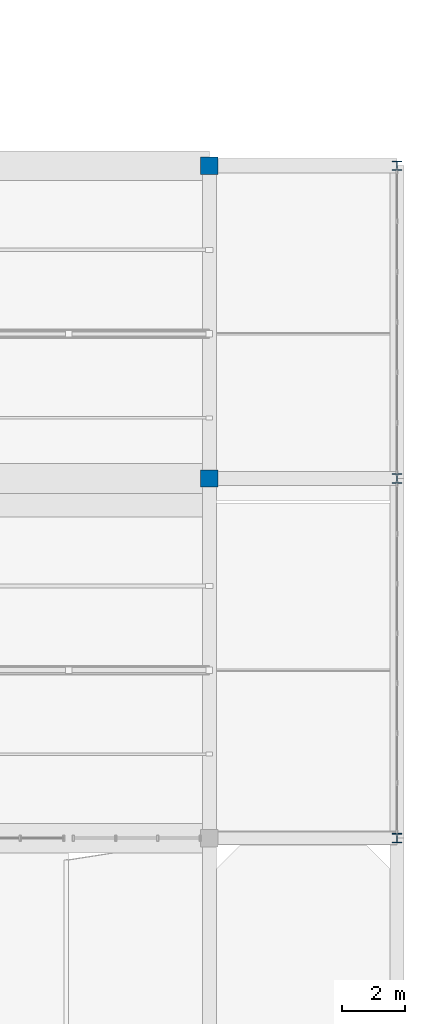
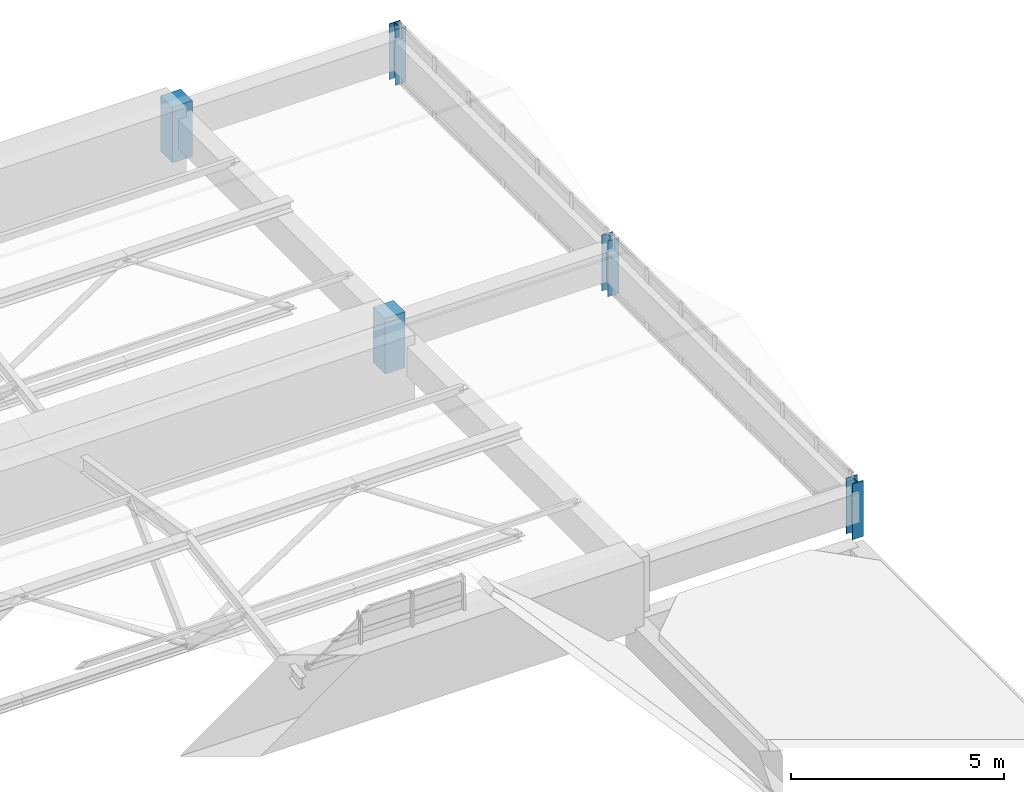
# One storey, part 4 of 82: 5 columns.
"""IFC4 building model written with IfcOpenShell, lengths in metres."""

from ifc_helpers import new_model, si_unit, direction, frame, origin, origin_2d, place, context, subcontext, project, spatial, rectangle, i_section, extrude, material, material_profile, profile_set, type_object, element, save


model = new_model("IFC4")

# Units and contexts
model_context = context("Model", 3, precision=1e-05, world=origin(), true_north=direction((0.0, 1.0)))
body_context = subcontext(model_context, "Body", "Model", "MODEL_VIEW")
ifc_project = project(units=[si_unit("LENGTHUNIT", "METRE"), si_unit("AREAUNIT", "SQUARE_METRE"), si_unit("VOLUMEUNIT", "CUBIC_METRE"), si_unit("PLANEANGLEUNIT", "RADIAN"), si_unit("MASSUNIT", "GRAM", prefix="KILO")], contexts=[model_context])

# Site, building, storey
site_placement = place(None, origin())
site = spatial("IfcSite", under=ifc_project, at=site_placement, CompositionType="ELEMENT")
building_placement = place(site_placement, origin())
building = spatial("IfcBuilding", under=site, at=building_placement, Name="Mersad Railyard Sports Hall", CompositionType="ELEMENT")
storey_placement = place(building_placement, frame((0.0, 0.0, 13.199951171875)))
storey = spatial("IfcBuildingStorey", under=building, at=storey_placement, Name="L03", CompositionType="ELEMENT", Elevation=13.199951171875)

# Columns
ifc_material_1 = material(Name="Concrete C40/50", Category="concrete")
ifc_material_profile_1 = material_profile(ifc_material_1, rectangle(XDim=0.550048828125, YDim=0.550048828125, at=origin_2d()), Name="RC 550x550")
ifc_profile_set_1 = profile_set([ifc_material_profile_1], Name="Concrete C40/50")
column_type_1 = type_object("IfcColumnType", Name="STR-COL-C05", PredefinedType="COLUMN", material=ifc_profile_set_1)
for number, where, z_axis, x_axis, name in (
    (1, (173.0, 85.0, 0.0), (0.0, 0.0, 1.0), (1.0, 0.0, 0.0), "Column C05 L03 (173.0,85.0)"),
    (2, (173.0, 95.0, 0.0), (0.0, 0.0, 1.0), (1.0, 0.0, 0.0), "Column C05 L03 (173.0,95.0)"),
):
    element("IfcColumn", number, at=place(storey_placement, frame(where, z_axis=z_axis, x_axis=x_axis)), inside=storey, type_object=column_type_1, Name=name, PredefinedType="COLUMN", context=body_context, shape_type="SweptSolid", body=[
        extrude(rectangle(XDim=0.550048828125, YDim=0.550048828125, at=origin_2d()), origin(), (0.0, 0.0, 1.0), 1.60009765625),
    ])
ifc_material_2 = material(Name="Steel S355", Category="steel")
ifc_material_profile_2 = material_profile(ifc_material_2, i_section(OverallWidth=0.300048828125, OverallDepth=0.300048828125, WebThickness=0.010986328125, FlangeThickness=0.01904296875, at=origin_2d()), Name="HEB 300")
ifc_profile_set_2 = profile_set([ifc_material_profile_2], Name="Steel S355")
column_type_2 = type_object("IfcColumnType", Name="STR-COL-C10", PredefinedType="COLUMN", material=ifc_profile_set_2)
for number, where, z_axis, x_axis, name in (
    (3, (179.0, 73.5, 0.0), (0.0, 0.0, 1.0), (1.0, 0.0, 0.0), "Column C10 L03 (179.0,73.5)"),
    (4, (179.0, 85.0, 0.0), (0.0, 0.0, 1.0), (1.0, 0.0, 0.0), "Column C10 L03 (179.0,85.0)"),
    (5, (179.0, 95.0, 0.0), (0.0, 0.0, 1.0), (1.0, 0.0, 0.0), "Column C10 L03 (179.0,95.0)"),
):
    element("IfcColumn", number, at=place(storey_placement, frame(where, z_axis=z_axis, x_axis=x_axis)), inside=storey, type_object=column_type_2, Name=name, PredefinedType="COLUMN", context=body_context, shape_type="SweptSolid", body=[
        extrude(i_section(OverallWidth=0.300048828125, OverallDepth=0.300048828125, WebThickness=0.010986328125, FlangeThickness=0.01904296875, at=origin_2d()), origin(), (0.0, 0.0, 1.0), 1.60009765625),
    ])

save(model, "model.ifc")
